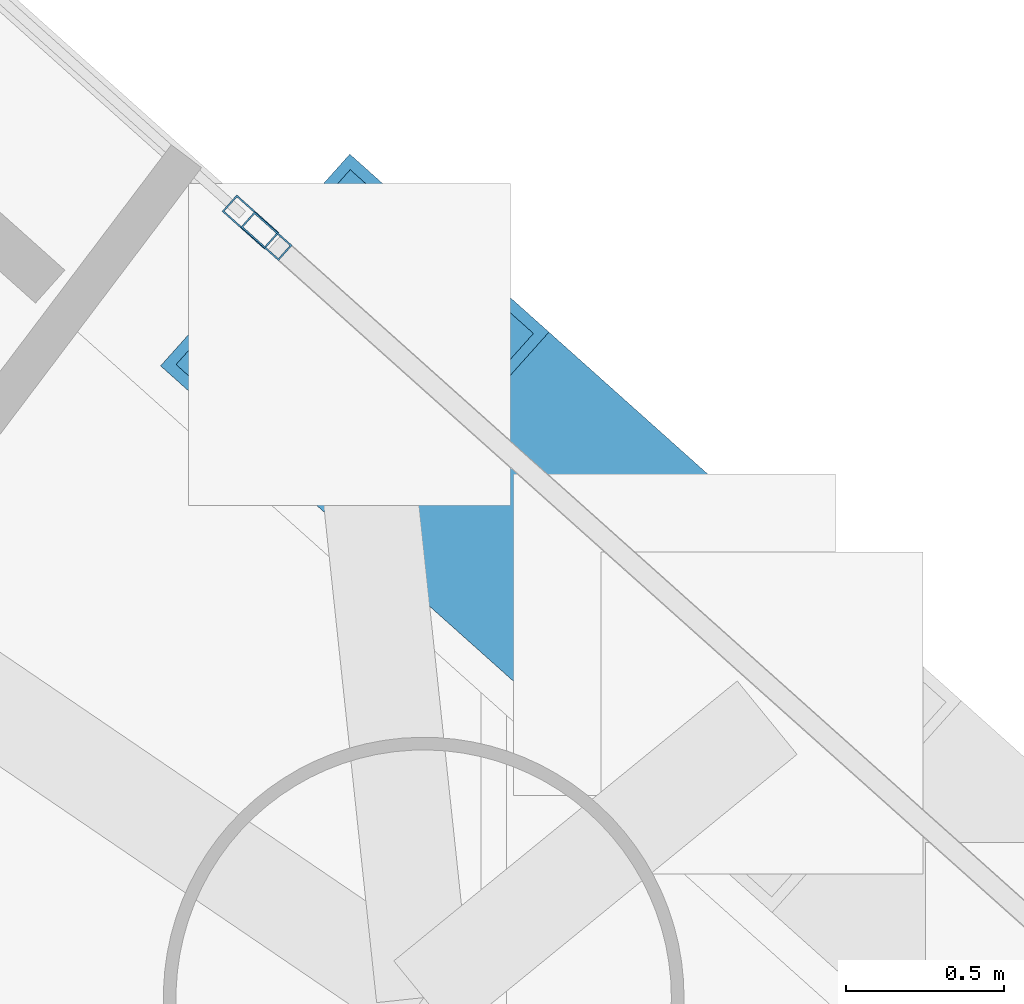
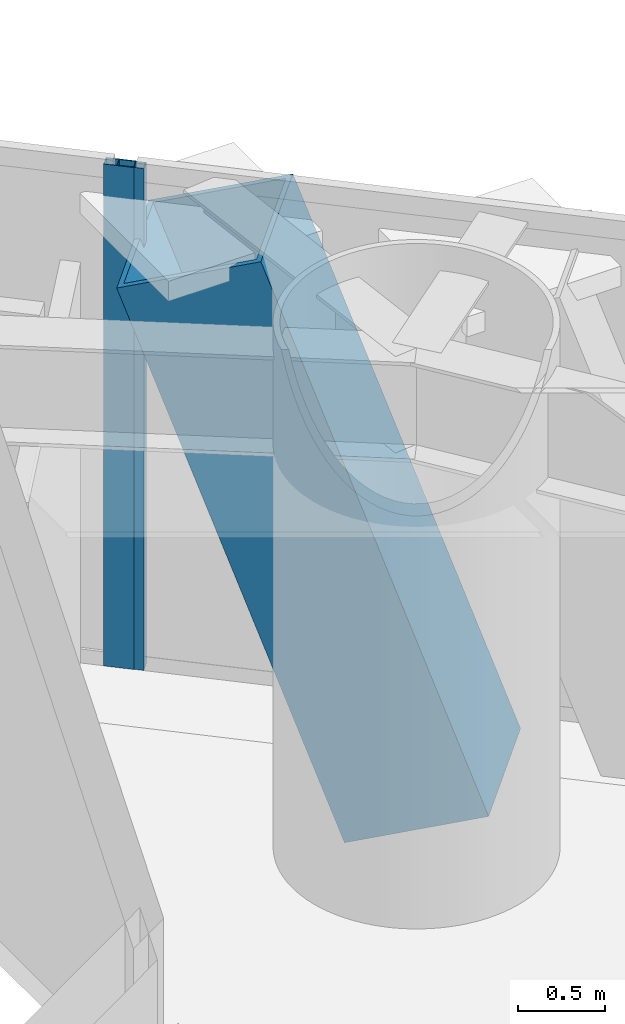
# One storey, part 12 of 24: 3 members, 2 elements without a shape of their own.
"""IFC4 building model written with IfcOpenShell, lengths in metres."""

from ifc_helpers import new_model, si_unit, direction, frame, origin, origin_2d, place, context, subcontext, project, spatial, hollow_rectangle, extrude, material, layer, layer_set, material_profile, profile_set, type_object, element, aggregate, save


model = new_model("IFC4")

# Units and contexts
model_context = context("Model", 3, precision=1e-05, world=origin(), true_north=direction((0.0, 1.0)))
body_context = subcontext(model_context, "Body", "Model", "MODEL_VIEW")
ifc_project = project(units=[si_unit("LENGTHUNIT", "METRE"), si_unit("AREAUNIT", "SQUARE_METRE"), si_unit("VOLUMEUNIT", "CUBIC_METRE"), si_unit("PLANEANGLEUNIT", "RADIAN"), si_unit("MASSUNIT", "GRAM", prefix="KILO")], contexts=[model_context])

# Site, building, storey
site_placement = place(None, origin())
site = spatial("IfcSite", under=ifc_project, at=site_placement, CompositionType="ELEMENT")
building_placement = place(site_placement, origin())
building = spatial("IfcBuilding", under=site, at=building_placement, Name="Qianvela Tower", CompositionType="ELEMENT")
storey_placement = place(building_placement, frame((0.0, 0.0, 71.0)))
storey = spatial("IfcBuildingStorey", under=building, at=storey_placement, Name="L17", CompositionType="ELEMENT", Elevation=71.0)

# Curtain wall, member
ifc_material_1 = material(Name="Anodised Architectural Aluminium and Insulated Spandrel Panel", Category="aluminium")
ifc_layer_1 = layer(ifc_material_1, 0.179931640625)
ifc_layer_set_1 = layer_set([ifc_layer_1], Name="Anodised Architectural Aluminium and Insulated Spandrel Panel")
curtain_wall_type_1 = type_object("IfcCurtainWallType", Name="CW-BRACEBAY", PredefinedType="USERDEFINED", material=ifc_layer_set_1)
curtain_wall_1_placement = place(storey_placement, origin())
curtain_wall_1 = element("IfcCurtainWall", 1, at=curtain_wall_1_placement, inside=storey, type_object=curtain_wall_type_1, Name="L17 CW-BRACEBAY Curtain Wall 02B", ObjectType="CURTAIN_WALL_SYSTEM", PredefinedType="USERDEFINED")
ifc_material_2 = material(Name="Anodised Architectural Aluminium 6063-T6", Category="aluminium")
ifc_material_profile_1 = material_profile(ifc_material_2, hollow_rectangle(XDim=0.06494140625, YDim=0.159912109375, WallThickness=0.0048828125, at=origin_2d()), Name="ALU-MULL-65x160")
ifc_profile_set_1 = profile_set([ifc_material_profile_1], Name="Anodised Architectural Aluminium 6063-T6")
member_type_1 = type_object("IfcMemberType", Name="CW-BRACEBAY-MULL", PredefinedType="MULLION", material=ifc_profile_set_1)
member_1_placement = place(storey_placement, frame((45.485595703125, 36.4697265625, 0.0), z_axis=(0.0, 0.0, 1.0), x_axis=(-0.66643444885, -0.745563629334, 0.0)))
member_1 = element("IfcMember", 2, at=member_1_placement, type_object=member_type_1, Name="CW-9 mullion 2", PredefinedType="MULLION", context=body_context, shape_type="SweptSolid", body=[
    extrude(hollow_rectangle(XDim=0.06494140625, YDim=0.159912109375, WallThickness=0.0048828125, at=origin_2d()), origin(), (0.0, 0.0, 1.0), 3.52001953125),
])
aggregate(curtain_wall_1, [member_1])

ifc_material_3 = material(Name="Anodised Architectural Aluminium and Low-E Glass", Category="aluminium")
ifc_layer_2 = layer(ifc_material_3, 0.179931640625)
ifc_layer_set_2 = layer_set([ifc_layer_2], Name="Anodised Architectural Aluminium and Low-E Glass")
curtain_wall_type_2 = type_object("IfcCurtainWallType", Name="CW-COLIV-Z12", PredefinedType="USERDEFINED", material=ifc_layer_set_2)
curtain_wall_2_placement = place(storey_placement, origin())
curtain_wall_2 = element("IfcCurtainWall", 3, at=curtain_wall_2_placement, inside=storey, type_object=curtain_wall_type_2, Name="L17 CW-COLIV-Z12 Curtain Wall 02C", ObjectType="CURTAIN_WALL_SYSTEM", PredefinedType="USERDEFINED")
ifc_material_4 = material(Name="Anodised Architectural Aluminium 6063-T6", Category="aluminium")
ifc_material_profile_2 = material_profile(ifc_material_4, hollow_rectangle(XDim=0.070068359375, YDim=0.179931640625, WallThickness=0.0048828125, at=origin_2d()), Name="ALU-MULL-70x180")
ifc_profile_set_2 = profile_set([ifc_material_profile_2], Name="Anodised Architectural Aluminium 6063-T6")
member_type_2 = type_object("IfcMemberType", Name="CW-COLIV-Z12-MULL", PredefinedType="MULLION", material=ifc_profile_set_2)
member_2_placement = place(storey_placement, frame((45.435302734375, 36.5146484375, 0.0), z_axis=(0.0, 0.0, 1.0), x_axis=(-0.666448152334, -0.74555138002, 0.0)))
member_2 = element("IfcMember", 4, at=member_2_placement, type_object=member_type_2, Name="CW-3 mullion 1", PredefinedType="MULLION", context=body_context, shape_type="SweptSolid", body=[
    extrude(hollow_rectangle(XDim=0.070068359375, YDim=0.179931640625, WallThickness=0.0048828125, at=origin_2d()), origin(), (0.0, 0.0, 1.0), 3.52001953125),
])
aggregate(curtain_wall_2, [member_2])

# Member
ifc_material_5 = material(Name="Steel Q420GJC", Category="steel")
ifc_material_profile_3 = material_profile(ifc_material_5, hollow_rectangle(XDim=0.89990234375, YDim=0.89990234375, WallThickness=0.035888671875, at=origin_2d()), Name="MBOX-900x900x36")
ifc_profile_set_3 = profile_set([ifc_material_profile_3], Name="Steel Q420GJC")
member_type_3 = type_object("IfcMemberType", Name="MBR-MBRACE-900", PredefinedType="BRACE", material=ifc_profile_set_3)
member_3_placement = place(storey_placement, frame((46.761962890625, 35.2216796875, -0.531982421875), z_axis=(-0.253328066657, 0.226394117385, 0.940516131843), x_axis=(-0.66635691373, -0.745632928138, 0.0)))
element("IfcMember", 5, at=member_3_placement, inside=storey, type_object=member_type_3, Name="L17 Tier 3 Exterior Mega-Brace F1B", PredefinedType="BRACE", context=body_context, shape_type="SweptSolid", body=[
    extrude(hollow_rectangle(XDim=0.89990234375, YDim=0.89990234375, WallThickness=0.035888671875, at=origin_2d()), origin(), (0.0, 0.0, 1.0), 3.933837890625),
])

save(model, "model.ifc")
